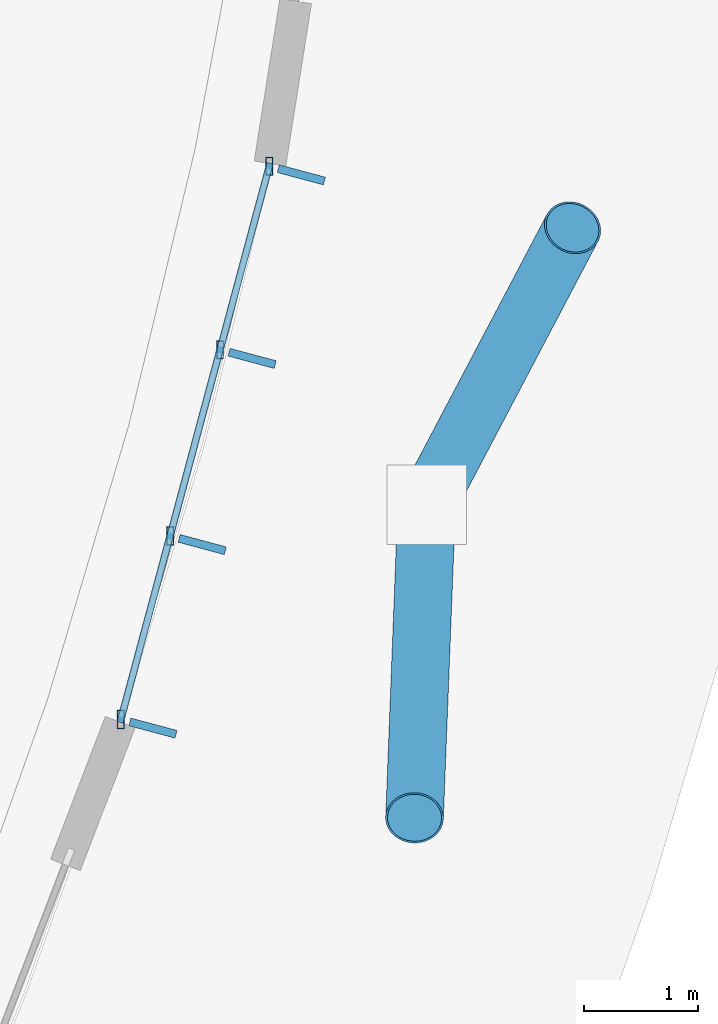
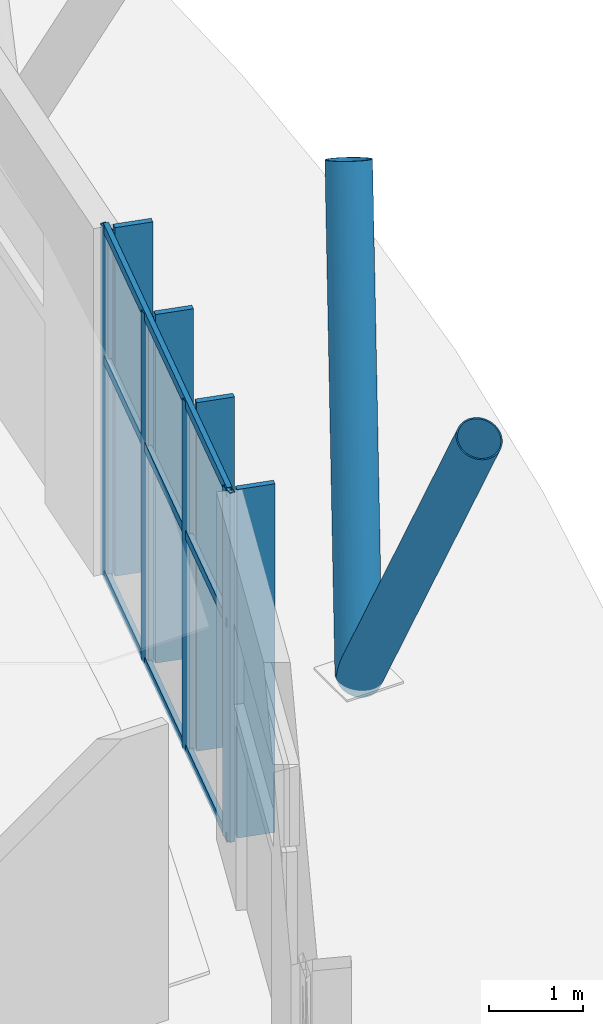
# One storey, part 82 of 151: 13 members, 1 element without a shape of its own.
"""IFC4 building model written with IfcOpenShell, lengths in metres."""

from ifc_helpers import new_model, si_unit, direction, frame, origin, origin_2d, place, context, subcontext, project, spatial, rectangle, hollow_rectangle, hollow_circle, extrude, material, material_profile, profile_set, type_object, element, aggregate, save


model = new_model("IFC4")

# Units and contexts
model_context = context("Model", 3, precision=1e-05, world=origin(), true_north=direction((0.0, 1.0)))
body_context = subcontext(model_context, "Body", "Model", "MODEL_VIEW")
ifc_project = project(units=[si_unit("LENGTHUNIT", "METRE"), si_unit("AREAUNIT", "SQUARE_METRE"), si_unit("VOLUMEUNIT", "CUBIC_METRE"), si_unit("PLANEANGLEUNIT", "RADIAN"), si_unit("MASSUNIT", "GRAM", prefix="KILO")], contexts=[model_context])

# Site, building, storey
site_placement = place(None, origin())
site = spatial("IfcSite", under=ifc_project, at=site_placement, CompositionType="ELEMENT")
building_placement = place(site_placement, origin())
building = spatial("IfcBuilding", under=site, at=building_placement, Name="Chiffa Square Polytechnic", CompositionType="ELEMENT")
storey_placement = place(building_placement, origin())
storey = spatial("IfcBuildingStorey", under=building, at=storey_placement, Name="L00", CompositionType="ELEMENT", Elevation=0.0)

# Members
ifc_material_1 = material(Name="Steel S355", Category="steel")
ifc_material_profile_1 = material_profile(ifc_material_1, hollow_circle(Radius=0.25390625, WallThickness=0.01611328125, at=origin_2d()), Name="CHS 508x16")
ifc_profile_set_1 = profile_set([ifc_material_profile_1], Name="Steel S355")
member_type_1 = type_object("IfcMemberType", Name="COL-VSTRUT-508", PredefinedType="STRUT", material=ifc_profile_set_1)
for number, where, z_axis, x_axis, name in (
    (1, (172.115966796875, 44.242919921875, 0.0), (-0.019323022229, -0.497281065212, 0.867374292329), (0.999245907187, -0.03882804359, 0.0), "Prow steel V-strut CV-V1-L00-08L"),
    (2, (172.115966796875, 44.242919921875, 0.0), (0.23183090471, 0.440368428319, 0.867369632257), (-0.884870144686, 0.465837769017, 0.0), "Prow steel V-strut CV-V1-L00-08R"),
):
    element("IfcMember", number, at=place(storey_placement, frame(where, z_axis=z_axis, x_axis=x_axis)), inside=storey, type_object=member_type_1, Name=name, PredefinedType="STRUT", context=body_context, shape_type="SweptSolid", body=[
        extrude(hollow_circle(Radius=0.25390625, WallThickness=0.01611328125, at=origin_2d()), origin(), (0.0, 0.0, 1.0), 5.533935546875),
    ])

# Curtain wall, members
ifc_material_2 = material(Name="Aluminium EN AW-6060 T66 and glulam shading", Category="wood")
curtain_wall_type = type_object("IfcCurtainWallType", Name="CW-VERT-450X440", PredefinedType="USERDEFINED", material=ifc_material_2)
curtain_wall_placement = place(storey_placement, origin())
curtain_wall = element("IfcCurtainWall", 3, at=curtain_wall_placement, inside=storey, type_object=curtain_wall_type, Name="Curtain wall CW-V1-L00-008", ObjectType="CURTAIN WALL", PredefinedType="USERDEFINED")
ifc_material_3 = material(Name="Aluminium EN AW-6060 T66", Category="aluminium")
ifc_material_profile_2 = material_profile(ifc_material_3, hollow_rectangle(XDim=0.06005859375, YDim=0.159912109375, WallThickness=0.00390625, at=origin_2d()), Name="ALU 60x160x4")
ifc_profile_set_2 = profile_set([ifc_material_profile_2], Name="Aluminium EN AW-6060 T66")
member_type_2 = type_object("IfcMemberType", Name="CWM-ALU-65X150", PredefinedType="MULLION", material=ifc_profile_set_2)
member_1_placement = place(storey_placement, frame((169.427001953125, 42.35595703125, -0.02001953125), z_axis=(0.0, 0.0, 1.0), x_axis=(1.0, 0.0, 0.0)))
member_1 = element("IfcMember", 4, at=member_1_placement, type_object=member_type_2, Name="Curtain wall mullion CW-V1-L00-008-M00", PredefinedType="MULLION", context=body_context, shape_type="SweptSolid", body=[
    extrude(hollow_rectangle(XDim=0.06005859375, YDim=0.159912109375, WallThickness=0.00390625, at=origin_2d()), origin(), (0.0, 0.0, 1.0), 4.554931640625),
])
member_2_placement = place(storey_placement, frame((169.860107421875, 43.969970703125, -0.02001953125), z_axis=(0.0, 0.0, 1.0), x_axis=(1.0, 0.0, 0.0)))
member_2 = element("IfcMember", 5, at=member_2_placement, type_object=member_type_2, Name="Curtain wall mullion CW-V1-L00-008-M01", PredefinedType="MULLION", context=body_context, shape_type="SweptSolid", body=[
    extrude(hollow_rectangle(XDim=0.06005859375, YDim=0.159912109375, WallThickness=0.00390625, at=origin_2d()), origin(), (0.0, 0.0, 1.0), 4.554931640625),
])
member_3_placement = place(storey_placement, frame((170.299072265625, 45.60693359375, -0.02001953125), z_axis=(0.0, 0.0, 1.0), x_axis=(1.0, 0.0, 0.0)))
member_3 = element("IfcMember", 6, at=member_3_placement, type_object=member_type_2, Name="Curtain wall mullion CW-V1-L00-008-M02", PredefinedType="MULLION", context=body_context, shape_type="SweptSolid", body=[
    extrude(hollow_rectangle(XDim=0.06005859375, YDim=0.159912109375, WallThickness=0.00390625, at=origin_2d()), origin(), (0.0, 0.0, 1.0), 4.554931640625),
])
member_4_placement = place(storey_placement, frame((170.73193359375, 47.220947265625, -0.02001953125), z_axis=(0.0, 0.0, 1.0), x_axis=(1.0, 0.0, 0.0)))
member_4 = element("IfcMember", 7, at=member_4_placement, type_object=member_type_2, Name="Curtain wall mullion CW-V1-L00-008-M03", PredefinedType="MULLION", context=body_context, shape_type="SweptSolid", body=[
    extrude(hollow_rectangle(XDim=0.06005859375, YDim=0.159912109375, WallThickness=0.00390625, at=origin_2d()), origin(), (0.0, 0.0, 1.0), 4.554931640625),
])
ifc_material_4 = material(Name="Glulam GL28h", Category="wood")
ifc_material_profile_3 = material_profile(ifc_material_4, rectangle(XDim=0.070068359375, YDim=0.419921875, at=origin_2d()), Name="GL28h 70x420")
ifc_profile_set_3 = profile_set([ifc_material_profile_3], Name="Glulam GL28h")
member_type_3 = type_object("IfcMemberType", Name="CWM-GL-70X420", PredefinedType="MULLION", material=ifc_profile_set_3)
member_5_placement = place(storey_placement, frame((169.708984375, 42.280029296875, -0.010009765625), z_axis=(0.0, 0.0, 1.0), x_axis=(0.258920195199, 0.965898717526, 0.0)))
member_5 = element("IfcMember", 8, at=member_5_placement, type_object=member_type_3, Name="Exterior glulam solar fin CW-V1-L00-008-FN00", PredefinedType="MULLION", context=body_context, shape_type="SweptSolid", body=[
    extrude(rectangle(XDim=0.070068359375, YDim=0.419921875, at=origin_2d()), origin(), (0.0, 0.0, 1.0), 4.534912109375),
])
member_6_placement = place(storey_placement, frame((170.14208984375, 43.89404296875, -0.010009765625), z_axis=(0.0, 0.0, 1.0), x_axis=(0.258920195199, 0.965898717526, 0.0)))
member_6 = element("IfcMember", 9, at=member_6_placement, type_object=member_type_3, Name="Exterior glulam solar fin CW-V1-L00-008-FN01", PredefinedType="MULLION", context=body_context, shape_type="SweptSolid", body=[
    extrude(rectangle(XDim=0.070068359375, YDim=0.419921875, at=origin_2d()), origin(), (0.0, 0.0, 1.0), 4.534912109375),
])
member_7_placement = place(storey_placement, frame((170.5810546875, 45.531005859375, -0.010009765625), z_axis=(0.0, 0.0, 1.0), x_axis=(0.258920195199, 0.965898717526, 0.0)))
member_7 = element("IfcMember", 10, at=member_7_placement, type_object=member_type_3, Name="Exterior glulam solar fin CW-V1-L00-008-FN02", PredefinedType="MULLION", context=body_context, shape_type="SweptSolid", body=[
    extrude(rectangle(XDim=0.070068359375, YDim=0.419921875, at=origin_2d()), origin(), (0.0, 0.0, 1.0), 4.534912109375),
])
member_8_placement = place(storey_placement, frame((171.013916015625, 47.14501953125, -0.010009765625), z_axis=(0.0, 0.0, 1.0), x_axis=(0.258920195199, 0.965898717526, 0.0)))
member_8 = element("IfcMember", 11, at=member_8_placement, type_object=member_type_3, Name="Exterior glulam solar fin CW-V1-L00-008-FN03", PredefinedType="MULLION", context=body_context, shape_type="SweptSolid", body=[
    extrude(rectangle(XDim=0.070068359375, YDim=0.419921875, at=origin_2d()), origin(), (0.0, 0.0, 1.0), 4.534912109375),
])
ifc_material_profile_4 = material_profile(ifc_material_3, hollow_rectangle(XDim=0.06005859375, YDim=0.1201171875, WallThickness=0.00390625, at=origin_2d()), Name="ALU 60x120x4")
ifc_profile_set_4 = profile_set([ifc_material_profile_4], Name="Aluminium EN AW-6060 T66")
member_type_4 = type_object("IfcMemberType", Name="CWT-ALU-65X120", PredefinedType="USERDEFINED", material=ifc_profile_set_4)
member_9_placement = place(storey_placement, frame((169.419921875, 42.330078125, 0.010009765625), z_axis=(0.259110016752, 0.965847813695, 0.0), x_axis=(-0.965847813695, 0.259110016752, 0.0)))
member_9 = element("IfcMember", 12, at=member_9_placement, type_object=member_type_4, Name="Curtain wall transom CW-V1-L00-008-T01", ObjectType="TRANSOM", PredefinedType="USERDEFINED", context=body_context, shape_type="SweptSolid", body=[
    extrude(hollow_rectangle(XDim=0.06005859375, YDim=0.1201171875, WallThickness=0.00390625, at=origin_2d()), origin(), (0.0, 0.0, 1.0), 5.0908203125),
])
member_10_placement = place(storey_placement, frame((169.419921875, 42.330078125, 2.803955078125), z_axis=(0.259110016752, 0.965847813695, 0.0), x_axis=(-0.965847813695, 0.259110016752, 0.0)))
member_10 = element("IfcMember", 13, at=member_10_placement, type_object=member_type_4, Name="Curtain wall transom CW-V1-L00-008-T02", ObjectType="TRANSOM", PredefinedType="USERDEFINED", context=body_context, shape_type="SweptSolid", body=[
    extrude(hollow_rectangle(XDim=0.06005859375, YDim=0.1201171875, WallThickness=0.00390625, at=origin_2d()), origin(), (0.0, 0.0, 1.0), 5.0908203125),
])
member_11_placement = place(storey_placement, frame((169.419921875, 42.330078125, 4.5048828125), z_axis=(0.259110016752, 0.965847813695, 0.0), x_axis=(-0.965847813695, 0.259110016752, 0.0)))
member_11 = element("IfcMember", 14, at=member_11_placement, type_object=member_type_4, Name="Curtain wall transom CW-V1-L00-008-T03", ObjectType="TRANSOM", PredefinedType="USERDEFINED", context=body_context, shape_type="SweptSolid", body=[
    extrude(hollow_rectangle(XDim=0.06005859375, YDim=0.1201171875, WallThickness=0.00390625, at=origin_2d()), origin(), (0.0, 0.0, 1.0), 5.0908203125),
])
aggregate(curtain_wall, [member_1, member_5, member_2, member_6, member_3, member_7, member_4, member_8, member_9, member_10, member_11])

save(model, "model.ifc")
